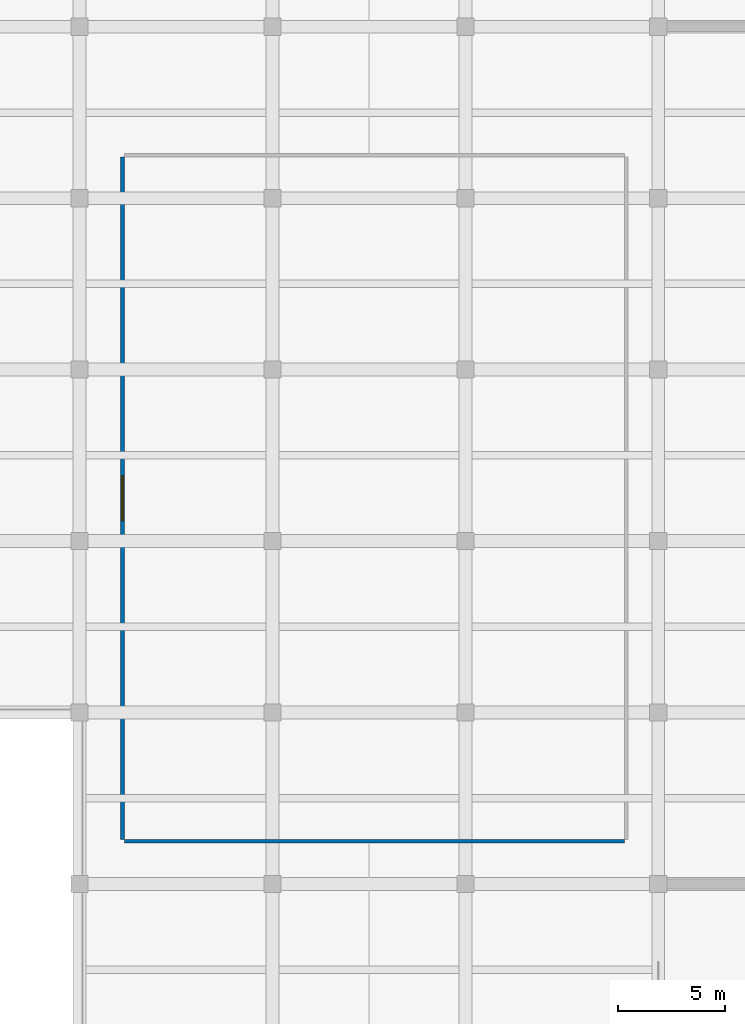
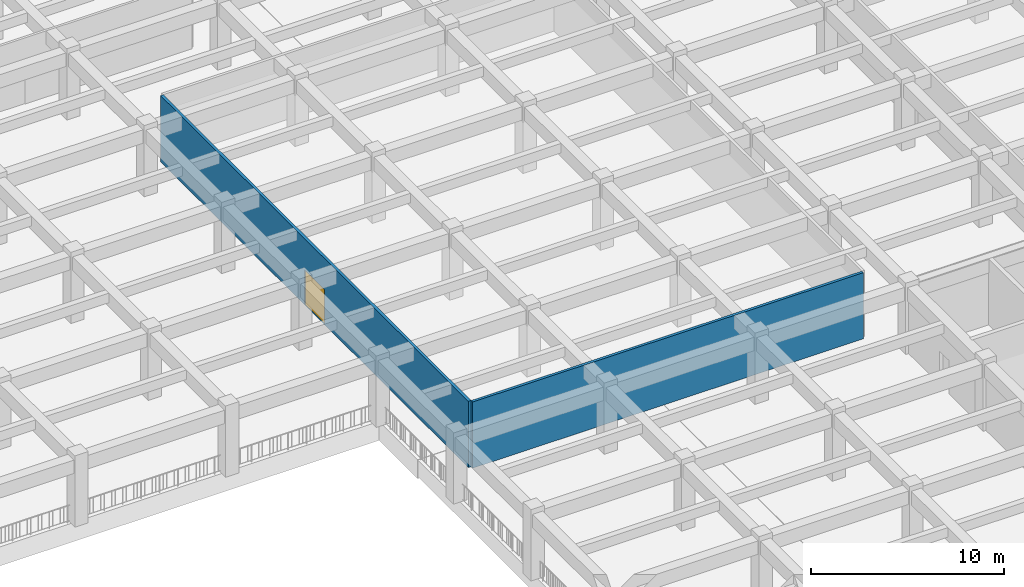
# One storey, part 28 of 50: 2 walls, 1 door, 1 opening.
"""IFC4 building model written with IfcOpenShell, lengths in metres."""

from ifc_helpers import new_model, si_unit, direction, frame, frame_2d, origin, place, context, subcontext, project, spatial, rectangle, extrude, material, layer, layer_set, type_object, element, fill, save


model = new_model("IFC4")

# Units and contexts
model_context = context("Model", 3, precision=1e-05, world=origin(), true_north=direction((0.0, 1.0)))
body_context = subcontext(model_context, "Body", "Model", "MODEL_VIEW")
ifc_project = project(units=[si_unit("LENGTHUNIT", "METRE"), si_unit("AREAUNIT", "SQUARE_METRE"), si_unit("VOLUMEUNIT", "CUBIC_METRE"), si_unit("PLANEANGLEUNIT", "RADIAN"), si_unit("MASSUNIT", "GRAM", prefix="KILO")], contexts=[model_context])

# Site, building, storey
site_placement = place(None, origin())
site = spatial("IfcSite", under=ifc_project, at=site_placement, CompositionType="ELEMENT")
building_placement = place(site_placement, origin())
building = spatial("IfcBuilding", under=site, at=building_placement, Name="Zaverband Oceanarium and Marine Research Institute", CompositionType="ELEMENT")
storey_placement = place(building_placement, frame((0.0, 0.0, 4.5)))
storey = spatial("IfcBuildingStorey", under=building, at=storey_placement, Name="L01", CompositionType="ELEMENT", Elevation=4.5)

# Wall
ifc_material_1 = material(Name="Corridor rated drywall partition")
ifc_layer = layer(ifc_material_1, 0.1650390625, Name="Corridor rated drywall partition")
ifc_layer_set = layer_set([ifc_layer], Name="Corridor rated drywall partition")
wall_type = type_object("IfcWallType", Name="PT-165-CR", PredefinedType="PARTITIONING", material=ifc_layer_set)
wall_1_placement = place(storey_placement, frame((110.08251953125, 42.0, 0.0), z_axis=(0.0, 0.0, 1.0), x_axis=(1.0, 0.0, 0.0)))
element("IfcWall", 1, at=wall_1_placement, inside=storey, type_object=wall_type, Name="Internal partition PT-165-CR", PredefinedType="PARTITIONING", context=body_context, shape_type="SweptSolid", body=[
    extrude(rectangle(XDim=23.3349609375, YDim=0.1650390625, at=frame_2d((11.66748046875, 0.0))), origin(), (0.0, 0.0, 1.0), 4.179931640625),
])

# Wall, opening, door
wall_2_placement = place(storey_placement, frame((110.0, 42.08251953125, 0.0), z_axis=(0.0, 0.0, 1.0), x_axis=(0.0, 1.0, 0.0)))
wall_2 = element("IfcWall", 2, at=wall_2_placement, inside=storey, type_object=wall_type, Name="Internal partition PT-165-CR", PredefinedType="PARTITIONING", context=body_context, shape_type="SweptSolid", body=[
    extrude(rectangle(XDim=31.8349609375, YDim=0.1650390625, at=frame_2d((15.91748046875, 0.0))), origin(), (0.0, 0.0, 1.0), 4.179931640625),
])
opening_placement = place(wall_2_placement, frame((14.867431640625, 0.0, 0.0)))
opening = element("IfcOpeningElement", 3, at=opening_placement, cuts=wall_2, Name="Opening ID-2100x2200", PredefinedType="OPENING", context=body_context, shape_type="SweptSolid", body=[
    extrude(rectangle(XDim=2.10009765625, YDim=2.199951171875, at=frame_2d((1.050048828125, 1.10009765625))), frame((0.0, 0.094482421875, 0.0), z_axis=(0.0, -1.0, 0.0), x_axis=(1.0, 0.0, 0.0)), (0.0, 0.0, 1.0), 0.18896484375),
])
ifc_material_2 = material(Name="Hardwood-veneered acoustic timber", Category="wood")
door_type = type_object("IfcDoorType", Name="ID-2100x2200", OperationType="DOUBLE_DOOR_SINGLE_SWING", PredefinedType="DOOR", material=ifc_material_2)
door_placement = place(opening_placement, origin())
door = element("IfcDoor", 4, at=door_placement, inside=storey, type_object=door_type, Name="Concourse double public door ID-2100x2200", OperationType="DOUBLE_DOOR_SINGLE_SWING", OverallHeight=2.199951171875, OverallWidth=2.10009765625, PredefinedType="DOOR", context=body_context, shape_type="SweptSolid", body=[
    extrude(rectangle(XDim=2.10009765625, YDim=2.199951171875, at=frame_2d((1.050048828125, 1.10009765625))), frame((0.0, 0.02490234375, 0.0), z_axis=(0.0, -1.0, 0.0), x_axis=(1.0, 0.0, 0.0)), (0.0, 0.0, 1.0), 0.050048828125),
])
fill(opening, door)

save(model, "model.ifc")
